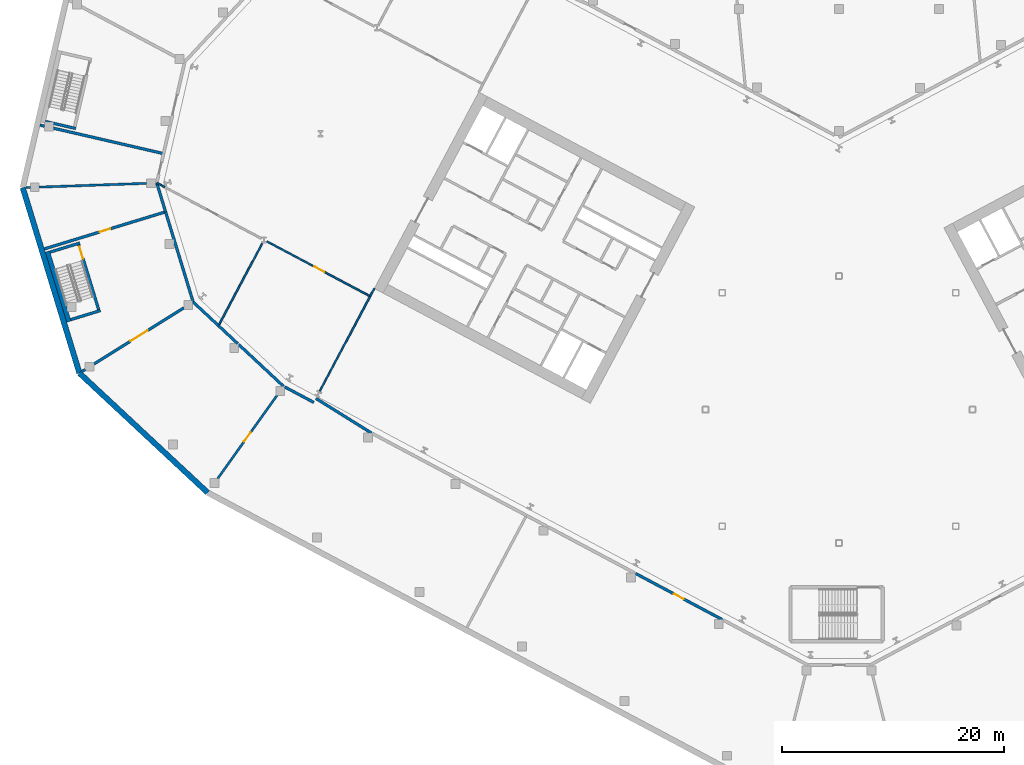
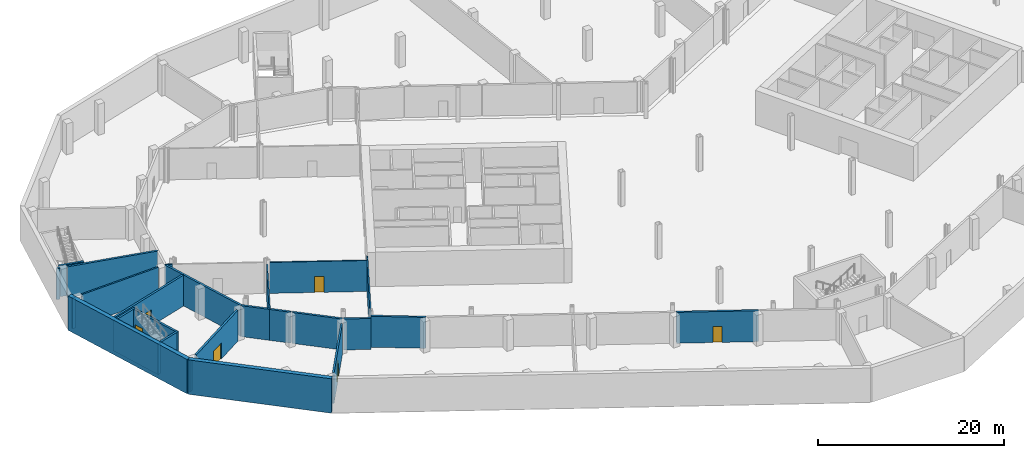
# One storey, part 8 of 27: 28 walls, 6 doors, 6 openings.
"""IFC4 building model written with IfcOpenShell, lengths in metres."""

import ifcopenshell
import ifcopenshell.guid

model = None  # the IFC model being written
_history = None  # IfcOwnerHistory: only IFC2X3 demands one
_inside = {}  # id of a spatial element -> (the spatial element, [elements in it])
_under = {}  # id of a project, library or spatial element -> (it, [spatial elements below it])
_declared = {}  # id of a project -> (the project, [libraries it declares])
_typed = {}  # id of a type object -> (the type object, [elements of that type])
_made_of = {}  # id of a material, layer set ... -> (it, [elements and type objects made of it])


def new_model(schema):
    """Start an empty IFC model of exactly this schema.

    Asked for "IFC4X3", IfcOpenShell would pick the latest addendum, in which some entities
    have other attributes; the version numbers below select the first issue.
    IFC2X3 requires an IfcOwnerHistory on every rooted entity: one is made here for all.
    """
    global model, _history
    if schema == "IFC4X3":
        model = ifcopenshell.file(schema_version=(4, 3, 0, 0))
    else:
        model = ifcopenshell.file(schema=schema)
    _inside.clear()
    _under.clear()
    _declared.clear()
    _typed.clear()
    _made_of.clear()
    _history = None
    if model.schema == "IFC2X3":
        org = make("IfcOrganization", Name="unknown")
        user = make(
            "IfcPersonAndOrganization",
            ThePerson=make("IfcPerson", FamilyName="unknown"),
            TheOrganization=org,
        )
        app = make(
            "IfcApplication",
            ApplicationDeveloper=org,
            Version="unknown",
            ApplicationFullName="unknown",
            ApplicationIdentifier="unknown",
        )
        _history = make(
            "IfcOwnerHistory",
            OwningUser=user,
            OwningApplication=app,
            ChangeAction="ADDED",
            CreationDate=0,
        )
    return model


def make(cls, **values):
    """One entity of the class cls with the attributes given. An attribute that is None is left unset."""
    return model.create_entity(
        cls, **{name: value for name, value in values.items() if value is not None}
    )


def rooted(cls, **values):
    """An entity with a GlobalId (a new one), such as an element, a storey or a relation."""
    return make(cls, GlobalId=ifcopenshell.guid.new(), OwnerHistory=_history, **values)


def si_unit(unit_type, name, prefix=None):
    """IfcSIUnit, for example si_unit("LENGTHUNIT", "METRE", prefix="MILLI")."""
    return make("IfcSIUnit", UnitType=unit_type, Prefix=prefix, Name=name)


def assignment(units):
    """IfcUnitAssignment: the units of a project."""
    return None if units is None else make("IfcUnitAssignment", Units=units)


def point(xyz):
    """IfcCartesianPoint."""
    return None if xyz is None else make("IfcCartesianPoint", Coordinates=xyz)


def direction(xyz):
    """IfcDirection."""
    return None if xyz is None else make("IfcDirection", DirectionRatios=xyz)


def frame(location, z_axis=None, x_axis=None):
    """IfcAxis2Placement3D, a coordinate frame: its origin and axes. An axis left out is left unset."""
    return make(
        "IfcAxis2Placement3D",
        Location=point(location),
        Axis=direction(z_axis),
        RefDirection=direction(x_axis),
    )


def frame_2d(location, x_axis=None):
    """IfcAxis2Placement2D, a coordinate frame in the plane: its origin and x axis."""
    return make(
        "IfcAxis2Placement2D", Location=point(location), RefDirection=direction(x_axis)
    )


def origin():
    """The frame at (0, 0, 0) with its axes left unset."""
    return frame((0.0, 0.0, 0.0))


def place(relative_to, where):
    """IfcLocalPlacement: puts the frame where relative to a parent placement (None: the world)."""
    return make(
        "IfcLocalPlacement", PlacementRelTo=relative_to, RelativePlacement=where
    )


def context(
    kind, dimensions, precision=None, world=None, true_north=None, identifier=None
):
    """IfcGeometricRepresentationContext, for example the 3D "Model" context."""
    return make(
        "IfcGeometricRepresentationContext",
        ContextIdentifier=identifier,
        ContextType=kind,
        CoordinateSpaceDimension=dimensions,
        Precision=precision,
        WorldCoordinateSystem=world,
        TrueNorth=true_north,
    )


def subcontext(parent, identifier, kind, view, scale=None):
    """IfcGeometricRepresentationSubContext, for example "Body" below "Model"."""
    return make(
        "IfcGeometricRepresentationSubContext",
        ContextIdentifier=identifier,
        ContextType=kind,
        ParentContext=parent,
        TargetScale=scale,
        TargetView=view,
    )


def project(units=None, contexts=None):
    """IfcProject with its units and contexts."""
    return rooted(
        "IfcProject",
        Name="project",
        RepresentationContexts=contexts,
        UnitsInContext=assignment(units),
    )


def spatial(cls, under=None, at=None, **own):
    """A site, building, storey or space (cls), placed at a placement, below another one or the project."""
    s = rooted(cls, ObjectPlacement=at, **own)
    if under is not None:
        _under.setdefault(under.id(), (under, []))[1].append(s)
    return s


def profile(cls, at=None, kind="AREA", **sizes):
    """A parametric profile (cls). Its sizes go by their IFC names, for example OverallWidth=200.0."""
    return make(cls, ProfileType=kind, Position=at, **sizes)


def rectangle(**sizes):
    """IfcRectangleProfileDef."""
    return profile("IfcRectangleProfileDef", **sizes)


def extrude(swept, where, along, depth):
    """IfcExtrudedAreaSolid: the profile swept, set in the frame where, extruded along a direction by depth."""
    return make(
        "IfcExtrudedAreaSolid",
        SweptArea=swept,
        Position=where,
        ExtrudedDirection=direction(along),
        Depth=depth,
    )


def shape(context_of_items, identifier, shape_type, items):
    """IfcShapeRepresentation: the items that make up one representation, for example the "Body"."""
    return make(
        "IfcShapeRepresentation",
        ContextOfItems=context_of_items,
        RepresentationIdentifier=identifier,
        RepresentationType=shape_type,
        Items=items,
    )


def material(Name=None, Category=None):
    """IfcMaterial."""
    return make("IfcMaterial", Name=Name, Category=Category)


def layer(
    of_material, thickness, ventilated=None, Name=None, Category=None, Priority=None
):
    """IfcMaterialLayer: one layer of a wall or slab, of a material (None: an air gap)."""
    return make(
        "IfcMaterialLayer",
        Material=of_material,
        LayerThickness=thickness,
        IsVentilated=ventilated,
        Name=Name,
        Category=Category,
        Priority=Priority,
    )


def layer_set(layers, Name=None):
    """IfcMaterialLayerSet."""
    return make("IfcMaterialLayerSet", MaterialLayers=layers, LayerSetName=Name)


def made_of(thing, what):
    """Note that an element or type object is made of a material, layer set ...; save() writes the relation."""
    if what is not None:
        _made_of.setdefault(what.id(), (what, []))[1].append(thing)
    return thing


def type_object(cls, material=None, **own):
    """A type object (cls), such as IfcWallType, which elements share."""
    return made_of(rooted(cls, **own), material)


def element(
    cls,
    number,
    at=None,
    inside=None,
    cuts=None,
    type_object=None,
    material=None,
    context=None,
    identifier="Body",
    shape_type=None,
    held_by="IfcProductDefinitionShape",
    body=None,
    shapes=None,
    **own,
):
    """One element of the class cls, such as IfcWall. Its Tag is "e" and its number.

    at: its placement. inside: the storey or other place that contains it. cuts: it is an
    opening in that element (IfcRelVoidsElement). A single representation is given by context,
    identifier, shape_type and body (its items); several are given by shapes. held_by: the class
    of the entity that holds the representations. save() writes the other relations.
    """
    e = rooted(cls, Tag="e%d" % number, ObjectPlacement=at, **own)
    if body is not None:
        shapes = [shape(context, identifier, shape_type, body)]
    if shapes is not None:
        e.Representation = make(held_by, Representations=shapes)
    if inside is not None:
        _inside.setdefault(inside.id(), (inside, []))[1].append(e)
    if cuts is not None:
        rooted(
            "IfcRelVoidsElement", RelatingBuildingElement=cuts, RelatedOpeningElement=e
        )
    if type_object is not None:
        _typed.setdefault(type_object.id(), (type_object, []))[1].append(e)
    return made_of(e, material)


def fill(opening, filler):
    """IfcRelFillsElement: the door or window that sits in an opening."""
    return rooted(
        "IfcRelFillsElement",
        RelatingOpeningElement=opening,
        RelatedBuildingElement=filler,
    )


def aggregate(whole, parts):
    """IfcRelAggregates: a whole, such as a stair, and the parts it consists of."""
    return rooted("IfcRelAggregates", RelatingObject=whole, RelatedObjects=parts)


def save(model, path):
    """Write the relations noted so far, then the file.

    IfcRelAggregates (storeys below a building ...), IfcRelContainedInSpatialStructure (elements
    in a storey), IfcRelDefinesByType, IfcRelAssociatesMaterial and IfcRelDeclares: one each for
    every whole, place, type object, material and project.
    """
    for whole, parts in _under.values():
        aggregate(whole, parts)
    for where, things in _inside.values():
        rooted(
            "IfcRelContainedInSpatialStructure",
            RelatedElements=things,
            RelatingStructure=where,
        )
    for kind, things in _typed.values():
        rooted("IfcRelDefinesByType", RelatedObjects=things, RelatingType=kind)
    for what, things in _made_of.values():
        rooted("IfcRelAssociatesMaterial", RelatedObjects=things, RelatingMaterial=what)
    for by, libraries in _declared.values():
        rooted("IfcRelDeclares", RelatingContext=by, RelatedDefinitions=libraries)
    model.write(path)


model = new_model("IFC4")

# Units and contexts
model_context = context("Model", 3, precision=1e-05, world=origin(), true_north=direction((0.0, 1.0)))
body_context = subcontext(model_context, "Body", "Model", "MODEL_VIEW")
ifc_project = project(units=[si_unit("LENGTHUNIT", "METRE"), si_unit("AREAUNIT", "SQUARE_METRE"), si_unit("VOLUMEUNIT", "CUBIC_METRE"), si_unit("PLANEANGLEUNIT", "RADIAN"), si_unit("MASSUNIT", "GRAM", prefix="KILO")], contexts=[model_context])

# Site, building, storey
site_placement = place(None, origin())
site = spatial("IfcSite", under=ifc_project, at=site_placement, CompositionType="ELEMENT")
building_placement = place(site_placement, origin())
building = spatial("IfcBuilding", under=site, at=building_placement, Name="Cormorant Relay Tower", CompositionType="ELEMENT")
storey_placement = place(building_placement, frame((0.0, 0.0, -4.5)))
storey = spatial("IfcBuildingStorey", under=building, at=storey_placement, Name="B1", CompositionType="ELEMENT", Elevation=-4.5)

# Walls
ifc_material_1 = material(Name="Concrete masonry 20 MPa", Category="masonry")
ifc_layer_1 = layer(ifc_material_1, 0.25)
ifc_layer_set_1 = layer_set([ifc_layer_1], Name="Fire separation wall 250")
wall_type_1 = type_object("IfcWallType", Name="Fire separation wall 250", PredefinedType="SOLIDWALL", material=ifc_layer_set_1)
wall_1_placement = place(storey_placement, frame((-71.83837890625, 25.578857421875, 0.0), z_axis=(0.0, 0.0, 1.0), x_axis=(0.974472286972, -0.22450782152, 0.0)))
element("IfcWall", 1, at=wall_1_placement, inside=storey, type_object=wall_type_1, Name="Partition", PredefinedType="SOLIDWALL", context=body_context, shape_type="SweptSolid", body=[
    extrude(rectangle(XDim=0.405517578125, YDim=0.25, at=frame_2d((0.20263671875, 0.0))), origin(), (0.0, 0.0, 1.0), 4.050048828125),
])
wall_2_placement = place(storey_placement, frame((-70.64306640625, 25.302978515625, 0.0), z_axis=(0.0, 0.0, 1.0), x_axis=(0.974368540913, -0.224957654857, 0.0)))
element("IfcWall", 2, at=wall_2_placement, inside=storey, type_object=wall_type_1, Name="Partition", PredefinedType="SOLIDWALL", context=body_context, shape_type="SweptSolid", body=[
    extrude(rectangle(XDim=10.17333984375, YDim=0.25, at=frame_2d((5.086669921875, 0.0))), origin(), (0.0, 0.0, 1.0), 4.050048828125),
])

# Wall, opening, door
wall_3_placement = place(storey_placement, frame((-71.449462890625, 14.444580078125, 0.0), z_axis=(0.0, 0.0, 1.0), x_axis=(0.956305341867, 0.292369788309, 0.0)))
wall_3 = element("IfcWall", 3, at=wall_3_placement, inside=storey, type_object=wall_type_1, Name="Partition", PredefinedType="SOLIDWALL", context=body_context, shape_type="SweptSolid", body=[
    extrude(rectangle(XDim=11.39990234375, YDim=0.25, at=frame_2d((5.699951171875, 0.0))), origin(), (0.0, 0.0, 1.0), 4.050048828125),
])
opening_1_placement = place(wall_3_placement, frame((5.199951171875, 0.0, 0.0)))
opening_1 = element("IfcOpeningElement", 4, at=opening_1_placement, cuts=wall_3, Name="Opening PD1-042", PredefinedType="OPENING", context=body_context, shape_type="SweptSolid", body=[
    extrude(rectangle(XDim=1.0, YDim=2.10009765625, at=frame_2d((0.5, 1.050048828125))), frame((0.0, 0.135009765625, 0.0), z_axis=(0.0, -1.0, 0.0), x_axis=(1.0, 0.0, 0.0)), (0.0, 0.0, 1.0), 0.27001953125),
])
ifc_material_2 = material(Name="Steel door leaf", Category="steel")
door_type_1 = type_object("IfcDoorType", Name="Door single 1000", OperationType="SINGLE_SWING_LEFT", PredefinedType="DOOR", material=ifc_material_2)
door_1_placement = place(opening_1_placement, origin())
door_1 = element("IfcDoor", 5, at=door_1_placement, inside=storey, type_object=door_type_1, Name="Door", OperationType="SINGLE_SWING_RIGHT", OverallHeight=2.10009765625, OverallWidth=1.0, PredefinedType="DOOR", context=body_context, shape_type="SweptSolid", body=[
    extrude(rectangle(XDim=1.0, YDim=2.10009765625, at=frame_2d((0.5, 1.050048828125))), frame((0.0, 0.02490234375, 0.0), z_axis=(0.0, -1.0, 0.0), x_axis=(1.0, 0.0, 0.0)), (0.0, 0.0, 1.0), 0.050048828125),
])
fill(opening_1, door_1)

# Walls
wall_4_placement = place(storey_placement, frame((-60.54931640625, 17.783447265625, 0.0), z_axis=(0.0, 0.0, 1.0), x_axis=(-0.291634808329, 0.956529737421, 0.0)))
element("IfcWall", 6, at=wall_4_placement, inside=storey, type_object=wall_type_1, Name="Partition", PredefinedType="SOLIDWALL", context=body_context, shape_type="SweptSolid", body=[
    extrude(rectangle(XDim=2.709716796875, YDim=0.25, at=frame_2d((1.35498046875, 0.0))), origin(), (0.0, 0.0, 1.0), 4.050048828125),
])
wall_5_placement = place(storey_placement, frame((-58.0654296875, 9.666015625, 0.0), z_axis=(0.0, 0.0, 1.0), x_axis=(-0.292613894095, 0.956230677704, 0.0)))
element("IfcWall", 7, at=wall_5_placement, inside=storey, type_object=wall_type_1, Name="Partition", PredefinedType="SOLIDWALL", context=body_context, shape_type="SweptSolid", body=[
    extrude(rectangle(XDim=8.487060546875, YDim=0.25, at=frame_2d((4.24365234375, 0.0))), origin(), (0.0, 0.0, 1.0), 4.050048828125),
])
wall_6_placement = place(storey_placement, frame((-68.0517578125, 3.430419921875, 0.0), z_axis=(0.0, 0.0, 1.0), x_axis=(0.847914279888, 0.530133354886, 0.0)))
element("IfcWall", 8, at=wall_6_placement, inside=storey, type_object=wall_type_1, Name="Partition", PredefinedType="SOLIDWALL", context=body_context, shape_type="SweptSolid", body=[
    extrude(rectangle(XDim=0.326416015625, YDim=0.25, at=frame_2d((0.1630859375, 0.0))), origin(), (0.0, 0.0, 1.0), 4.050048828125),
])

# Wall, opening, door
wall_7_placement = place(storey_placement, frame((-66.97509765625, 4.103271484375, 0.0), z_axis=(0.0, 0.0, 1.0), x_axis=(0.848048758951, 0.529918203539, 0.0)))
wall_7 = element("IfcWall", 9, at=wall_7_placement, inside=storey, type_object=wall_type_1, Name="Partition", PredefinedType="SOLIDWALL", context=body_context, shape_type="SweptSolid", body=[
    extrude(rectangle(XDim=9.513671875, YDim=0.25, at=frame_2d((4.7568359375, 0.0))), origin(), (0.0, 0.0, 1.0), 4.050048828125),
])
opening_2_placement = place(wall_7_placement, frame((3.85693359375, 0.0, 0.0)))
opening_2 = element("IfcOpeningElement", 10, at=opening_2_placement, cuts=wall_7, Name="Opening PD3-008", PredefinedType="OPENING", context=body_context, shape_type="SweptSolid", body=[
    extrude(rectangle(XDim=1.800048828125, YDim=2.10009765625, at=frame_2d((0.89990234375, 1.050048828125))), frame((0.0, 0.135009765625, 0.0), z_axis=(0.0, -1.0, 0.0), x_axis=(1.0, 0.0, 0.0)), (0.0, 0.0, 1.0), 0.27001953125),
])
ifc_material_3 = material(Name="Steel door leaf", Category="steel")
door_type_2 = type_object("IfcDoorType", Name="Door double 1800", OperationType="DOUBLE_DOOR_SINGLE_SWING", PredefinedType="DOOR", material=ifc_material_3)
door_2_placement = place(opening_2_placement, origin())
door_2 = element("IfcDoor", 11, at=door_2_placement, inside=storey, type_object=door_type_2, Name="Door", OperationType="DOUBLE_DOOR_SINGLE_SWING", OverallHeight=2.10009765625, OverallWidth=1.800048828125, PredefinedType="DOOR", context=body_context, shape_type="SweptSolid", body=[
    extrude(rectangle(XDim=1.800048828125, YDim=2.10009765625, at=frame_2d((0.89990234375, 1.050048828125))), frame((0.0, 0.02490234375, 0.0), z_axis=(0.0, -1.0, 0.0), x_axis=(1.0, 0.0, 0.0)), (0.0, 0.0, 1.0), 0.050048828125),
])
fill(opening_2, door_2)

# Walls
wall_8_placement = place(storey_placement, frame((-47.224365234375, 0.64599609375, 0.0), z_axis=(0.0, 0.0, 1.0), x_axis=(-0.882766080441, 0.469812778905, 0.0)))
element("IfcWall", 12, at=wall_8_placement, inside=storey, type_object=wall_type_1, Name="Partition", PredefinedType="SOLIDWALL", context=body_context, shape_type="SweptSolid", body=[
    extrude(rectangle(XDim=2.95849609375, YDim=0.25, at=frame_2d((1.479248046875, 0.0))), origin(), (0.0, 0.0, 1.0), 4.050048828125),
])
wall_9_placement = place(storey_placement, frame((-42.037109375, -2.112060546875, 0.0), z_axis=(0.0, 0.0, 1.0), x_axis=(-0.848449825707, 0.529275819642, 0.0)))
element("IfcWall", 13, at=wall_9_placement, inside=storey, type_object=wall_type_1, Name="Partition", PredefinedType="SOLIDWALL", context=body_context, shape_type="SweptSolid", body=[
    extrude(rectangle(XDim=5.88916015625, YDim=0.25, at=frame_2d((2.944580078125, 0.0))), origin(), (0.0, 0.0, 1.0), 4.050048828125),
])

# Wall, opening, door
wall_10_placement = place(storey_placement, frame((-10.49267578125, -18.883056640625, 0.0), z_axis=(0.0, 0.0, 1.0), x_axis=(-0.882973285467, 0.469423238828, 0.0)))
wall_10 = element("IfcWall", 14, at=wall_10_placement, inside=storey, type_object=wall_type_1, Name="Partition", PredefinedType="SOLIDWALL", context=body_context, shape_type="SweptSolid", body=[
    extrude(rectangle(XDim=8.835205078125, YDim=0.25, at=frame_2d((4.41748046875, 0.0))), origin(), (0.0, 0.0, 1.0), 4.050048828125),
])
opening_3_placement = place(wall_10_placement, frame((3.91796875, 0.0, 0.0)))
opening_3 = element("IfcOpeningElement", 15, at=opening_3_placement, cuts=wall_10, Name="Opening PD1-032", PredefinedType="OPENING", context=body_context, shape_type="SweptSolid", body=[
    extrude(rectangle(XDim=1.0, YDim=2.10009765625, at=frame_2d((0.5, 1.050048828125))), frame((0.0, 0.135009765625, 0.0), z_axis=(0.0, -1.0, 0.0), x_axis=(1.0, 0.0, 0.0)), (0.0, 0.0, 1.0), 0.27001953125),
])
door_3_placement = place(opening_3_placement, origin())
door_3 = element("IfcDoor", 16, at=door_3_placement, inside=storey, type_object=door_type_1, Name="Door", OperationType="SINGLE_SWING_LEFT", OverallHeight=2.10009765625, OverallWidth=1.0, PredefinedType="DOOR", context=body_context, shape_type="SweptSolid", body=[
    extrude(rectangle(XDim=1.0, YDim=2.10009765625, at=frame_2d((0.5, 1.050048828125))), frame((0.0, 0.02490234375, 0.0), z_axis=(0.0, -1.0, 0.0), x_axis=(1.0, 0.0, 0.0)), (0.0, 0.0, 1.0), 0.050048828125),
])
fill(opening_3, door_3)

# Walls
wall_11_placement = place(storey_placement, frame((-55.78466796875, 7.5390625, 0.0), z_axis=(0.0, 0.0, 1.0), x_axis=(0.731373339026, -0.681977300914, 0.0)))
element("IfcWall", 17, at=wall_11_placement, inside=storey, type_object=wall_type_1, Name="Partition", PredefinedType="SOLIDWALL", context=body_context, shape_type="SweptSolid", body=[
    extrude(rectangle(XDim=2.34765625, YDim=0.25, at=frame_2d((1.173828125, 0.0))), origin(), (0.0, 0.0, 1.0), 4.050048828125),
])
wall_12_placement = place(storey_placement, frame((-53.971923828125, 5.848876953125, 0.0), z_axis=(0.0, 0.0, 1.0), x_axis=(0.731317536597, -0.682037140239, 0.0)))
element("IfcWall", 18, at=wall_12_placement, inside=storey, type_object=wall_type_1, Name="Partition", PredefinedType="SOLIDWALL", context=body_context, shape_type="SweptSolid", body=[
    extrude(rectangle(XDim=5.509033203125, YDim=0.25, at=frame_2d((2.75439453125, 0.0))), origin(), (0.0, 0.0, 1.0), 4.050048828125),
])
wall_13_placement = place(storey_placement, frame((-58.068359375, 9.668701171875, 0.0), z_axis=(0.0, 0.0, 1.0), x_axis=(0.731356961262, -0.681994864507, 0.0)))
element("IfcWall", 19, at=wall_13_placement, inside=storey, type_object=wall_type_1, Name="Partition", PredefinedType="SOLIDWALL", context=body_context, shape_type="SweptSolid", body=[
    extrude(rectangle(XDim=3.120849609375, YDim=0.25, at=frame_2d((1.560546875, 0.0))), origin(), (0.0, 0.0, 1.0), 4.050048828125),
])
for number, where, z_axis, x_axis, name in (
    (20, (-71.35302734375, 25.903076171875, 0.0), (0.0, 0.0, 1.0), (0.974369148124, -0.224955024802, 0.0), "Stair enclosure wall"),
    (21, (-70.942626953125, 14.1552734375, 0.0), (0.0, 0.0, 1.0), (0.95631095062, 0.292351442144, 0.0), "Stair enclosure wall"),
    (22, (-69.086181640625, 8.08251953125, 0.0), (0.0, 0.0, 1.0), (0.956286571153, 0.29243117794, 0.0), "Stair enclosure wall"),
):
    element("IfcWall", number, at=place(storey_placement, frame(where, z_axis=z_axis, x_axis=x_axis)), inside=storey, type_object=wall_type_1, Name=name, PredefinedType="SOLIDWALL", context=body_context, shape_type="SweptSolid", body=[
        extrude(rectangle(XDim=2.800048828125, YDim=0.25, at=frame_2d((1.39990234375, 0.0))), origin(), (0.0, 0.0, 1.0), 4.050048828125),
    ])

# Wall, opening, door
wall_14_placement = place(storey_placement, frame((-68.421142578125, 15.056884765625, 0.0), z_axis=(0.0, 0.0, 1.0), x_axis=(0.292369833763, -0.956305327971, 0.0)))
wall_14 = element("IfcWall", 23, at=wall_14_placement, inside=storey, type_object=wall_type_1, Name="Stair enclosure wall", PredefinedType="SOLIDWALL", context=body_context, shape_type="SweptSolid", body=[
    extrude(rectangle(XDim=6.60009765625, YDim=0.25, at=frame_2d((3.300048828125, 0.0))), origin(), (0.0, 0.0, 1.0), 4.050048828125),
])
opening_4_placement = place(wall_14_placement, frame((0.449951171875, 0.0, 0.0)))
opening_4 = element("IfcOpeningElement", 24, at=opening_4_placement, cuts=wall_14, Name="Opening PD10-008", PredefinedType="OPENING", context=body_context, shape_type="SweptSolid", body=[
    extrude(rectangle(XDim=1.10009765625, YDim=2.10009765625, at=frame_2d((0.550048828125, 1.050048828125))), frame((0.0, 0.135009765625, 0.0), z_axis=(0.0, -1.0, 0.0), x_axis=(1.0, 0.0, 0.0)), (0.0, 0.0, 1.0), 0.27001953125),
])
ifc_material_4 = material(Name="Steel fire door leaf", Category="steel")
door_type_3 = type_object("IfcDoorType", Name="Door stair 1100", OperationType="SINGLE_SWING_LEFT", PredefinedType="DOOR", material=ifc_material_4)
door_4_placement = place(opening_4_placement, origin())
door_4 = element("IfcDoor", 25, at=door_4_placement, inside=storey, type_object=door_type_3, Name="Stair door", OperationType="SINGLE_SWING_LEFT", OverallHeight=2.10009765625, OverallWidth=1.10009765625, PredefinedType="DOOR", context=body_context, shape_type="SweptSolid", body=[
    extrude(rectangle(XDim=1.10009765625, YDim=2.10009765625, at=frame_2d((0.550048828125, 1.050048828125))), frame((0.0, 0.02490234375, 0.0), z_axis=(0.0, -1.0, 0.0), x_axis=(1.0, 0.0, 0.0)), (0.0, 0.0, 1.0), 0.050048828125),
])
fill(opening_4, door_4)

ifc_material_5 = material(Name="Gypsum board on steel stud", Category="steel")
ifc_layer_2 = layer(ifc_material_5, 0.14990234375)
ifc_layer_set_2 = layer_set([ifc_layer_2], Name="Partition 150")
wall_type_2 = type_object("IfcWallType", Name="Partition 150", PredefinedType="PARTITIONING", material=ifc_layer_set_2)
wall_15_placement = place(storey_placement, frame((-51.427490234375, 15.11279296875, 0.0), z_axis=(0.0, 0.0, 1.0), x_axis=(0.882942303397, -0.469481510681, 0.0)))
wall_15 = element("IfcWall", 26, at=wall_15_placement, inside=storey, type_object=wall_type_2, Name="Partition", PredefinedType="PARTITIONING", context=body_context, shape_type="SweptSolid", body=[
    extrude(rectangle(XDim=10.5029296875, YDim=0.14990234375, at=frame_2d((5.25146484375, 0.0))), origin(), (0.0, 0.0, 1.0), 4.050048828125),
])
opening_5_placement = place(wall_15_placement, frame((4.82958984375, 0.0, 0.0)))
opening_5 = element("IfcOpeningElement", 27, at=opening_5_placement, cuts=wall_15, Name="Opening PD1-043", PredefinedType="OPENING", context=body_context, shape_type="SweptSolid", body=[
    extrude(rectangle(XDim=1.0, YDim=2.10009765625, at=frame_2d((0.5, 1.050048828125))), frame((0.0, 0.0849609375, 0.0), z_axis=(0.0, -1.0, 0.0), x_axis=(1.0, 0.0, 0.0)), (0.0, 0.0, 1.0), 0.169921875),
])
door_5_placement = place(opening_5_placement, frame((1.0, 0.0, 0.0), z_axis=(0.0, 0.0, 1.0), x_axis=(-1.0, 0.0, 0.0)))
door_5 = element("IfcDoor", 28, at=door_5_placement, inside=storey, type_object=door_type_1, Name="Door", OperationType="SINGLE_SWING_LEFT", OverallHeight=2.10009765625, OverallWidth=1.0, PredefinedType="DOOR", context=body_context, shape_type="SweptSolid", body=[
    extrude(rectangle(XDim=1.0, YDim=2.10009765625, at=frame_2d((0.5, 1.050048828125))), frame((0.0, 0.02490234375, 0.0), z_axis=(0.0, -1.0, 0.0), x_axis=(1.0, 0.0, 0.0)), (0.0, 0.0, 1.0), 0.050048828125),
])
fill(opening_5, door_5)

# Walls
wall_16_placement = place(storey_placement, frame((-61.338134765625, 20.38232421875, 0.0), z_axis=(0.0, 0.0, 1.0), x_axis=(0.882969363327, -0.4694306162, 0.0)))
element("IfcWall", 29, at=wall_16_placement, inside=storey, type_object=wall_type_2, Name="Partition", PredefinedType="PARTITIONING", context=body_context, shape_type="SweptSolid", body=[
    extrude(rectangle(XDim=0.79931640625, YDim=0.14990234375, at=frame_2d((0.399658203125, 0.0))), origin(), (0.0, 0.0, 1.0), 4.050048828125),
])
wall_17_placement = place(storey_placement, frame((-42.1513671875, 10.187255859375, 0.0), z_axis=(0.0, 0.0, 1.0), x_axis=(0.469582372655, 0.882888665287, 0.0)))
element("IfcWall", 30, at=wall_17_placement, inside=storey, type_object=wall_type_2, Name="Partition", PredefinedType="PARTITIONING", context=body_context, shape_type="SweptSolid", body=[
    extrude(rectangle(XDim=0.7939453125, YDim=0.14990234375, at=frame_2d((0.39697265625, 0.0))), origin(), (0.0, 0.0, 1.0), 4.050048828125),
])
wall_18_placement = place(storey_placement, frame((-51.858154296875, 14.93603515625, 0.0), z_axis=(0.0, 0.0, 1.0), x_axis=(-0.469478534594, -0.882943885848, 0.0)))
element("IfcWall", 31, at=wall_18_placement, inside=storey, type_object=wall_type_2, Name="Partition", PredefinedType="PARTITIONING", context=body_context, shape_type="SweptSolid", body=[
    extrude(rectangle(XDim=8.372802734375, YDim=0.14990234375, at=frame_2d((4.1865234375, 0.0))), origin(), (0.0, 0.0, 1.0), 4.050048828125),
])
wall_19_placement = place(storey_placement, frame((-46.700439453125, 1.631591796875, 0.0), z_axis=(0.0, 0.0, 1.0), x_axis=(0.46948131983, 0.882942404878, 0.0)))
element("IfcWall", 32, at=wall_19_placement, inside=storey, type_object=wall_type_2, Name="Partition", PredefinedType="PARTITIONING", context=body_context, shape_type="SweptSolid", body=[
    extrude(rectangle(XDim=9.68798828125, YDim=0.14990234375, at=frame_2d((4.843994140625, 0.0))), origin(), (0.0, 0.0, 1.0), 4.050048828125),
])
ifc_material_6 = material(Name="Concrete masonry 20 MPa", Category="masonry")
ifc_layer_3 = layer(ifc_material_6, 0.199951171875)
ifc_layer_set_3 = layer_set([ifc_layer_3], Name="Plant room wall 200")
wall_type_3 = type_object("IfcWallType", Name="Plant room wall 200", PredefinedType="PARTITIONING", material=ifc_layer_set_3)
wall_20_placement = place(storey_placement, frame((-73.10888671875, 19.960693359375, 0.0), z_axis=(0.0, 0.0, 1.0), x_axis=(0.999398021309, 0.034692866757, 0.0)))
element("IfcWall", 33, at=wall_20_placement, inside=storey, type_object=wall_type_3, Name="Partition", PredefinedType="PARTITIONING", context=body_context, shape_type="SweptSolid", body=[
    extrude(rectangle(XDim=0.401123046875, YDim=0.199951171875, at=frame_2d((0.20068359375, 0.0))), origin(), (0.0, 0.0, 1.0), 4.050048828125),
])
wall_21_placement = place(storey_placement, frame((-71.907958984375, 20.002685546875, 0.0), z_axis=(0.0, 0.0, 1.0), x_axis=(0.999391072451, 0.034892467742, 0.0)))
element("IfcWall", 34, at=wall_21_placement, inside=storey, type_object=wall_type_3, Name="Partition", PredefinedType="PARTITIONING", context=body_context, shape_type="SweptSolid", body=[
    extrude(rectangle(XDim=9.65576171875, YDim=0.199951171875, at=frame_2d((4.827880859375, 0.0))), origin(), (0.0, 0.0, 1.0), 4.050048828125),
])

# Wall, opening, door
wall_22_placement = place(storey_placement, frame((-50.521240234375, 1.281005859375, 0.0), z_axis=(0.0, 0.0, 1.0), x_axis=(-0.580708624763, -0.814111474631, 0.0)))
wall_22 = element("IfcWall", 35, at=wall_22_placement, inside=storey, type_object=wall_type_3, Name="Partition", PredefinedType="PARTITIONING", context=body_context, shape_type="SweptSolid", body=[
    extrude(rectangle(XDim=9.203857421875, YDim=0.199951171875, at=frame_2d((4.60205078125, 0.0))), origin(), (0.0, 0.0, 1.0), 4.050048828125),
])
opening_6_placement = place(wall_22_placement, frame((4.10205078125, 0.0, 0.0)))
opening_6 = element("IfcOpeningElement", 36, at=opening_6_placement, cuts=wall_22, Name="Opening PD1-031", PredefinedType="OPENING", context=body_context, shape_type="SweptSolid", body=[
    extrude(rectangle(XDim=1.0, YDim=2.10009765625, at=frame_2d((0.5, 1.050048828125))), frame((0.0, 0.10986328125, 0.0), z_axis=(0.0, -1.0, 0.0), x_axis=(1.0, 0.0, 0.0)), (0.0, 0.0, 1.0), 0.219970703125),
])
door_6_placement = place(opening_6_placement, frame((1.0, 0.0, 0.0), z_axis=(0.0, 0.0, 1.0), x_axis=(-1.0, 0.0, 0.0)))
door_6 = element("IfcDoor", 37, at=door_6_placement, inside=storey, type_object=door_type_1, Name="Door", OperationType="SINGLE_SWING_RIGHT", OverallHeight=2.10009765625, OverallWidth=1.0, PredefinedType="DOOR", context=body_context, shape_type="SweptSolid", body=[
    extrude(rectangle(XDim=1.0, YDim=2.10009765625, at=frame_2d((0.5, 1.050048828125))), frame((0.0, 0.02490234375, 0.0), z_axis=(0.0, -1.0, 0.0), x_axis=(1.0, 0.0, 0.0)), (0.0, 0.0, 1.0), 0.050048828125),
])
fill(opening_6, door_6)

# Walls
ifc_material_7 = material(Name="Concrete 40 MPa", Category="concrete")
ifc_layer_4 = layer(ifc_material_7, 0.5)
ifc_layer_set_4 = layer_set([ifc_layer_4], Name="Retaining wall 500")
wall_type_4 = type_object("IfcWallType", Name="Retaining wall 500", PredefinedType="SOLIDWALL", material=ifc_layer_set_4)
wall_23_placement = place(storey_placement, frame((-73.394287109375, 19.95068359375, 0.0), z_axis=(0.0, 0.0, 1.0), x_axis=(0.292377196349, -0.956303076987, 0.0)))
element("IfcWall", 38, at=wall_23_placement, inside=storey, type_object=wall_type_4, Name="Retaining wall", PredefinedType="SOLIDWALL", context=body_context, shape_type="SweptSolid", body=[
    extrude(rectangle(XDim=17.435302734375, YDim=0.5, at=frame_2d((8.7177734375, 0.0))), origin(), (0.0, 0.0, 1.0), 4.5),
])
wall_24_placement = place(storey_placement, frame((-68.296630859375, 3.27734375, 0.0), z_axis=(0.0, 0.0, 1.0), x_axis=(0.73135285176, -0.681999271424, 0.0)))
element("IfcWall", 39, at=wall_24_placement, inside=storey, type_object=wall_type_4, Name="Retaining wall", PredefinedType="SOLIDWALL", context=body_context, shape_type="SweptSolid", body=[
    extrude(rectangle(XDim=15.765380859375, YDim=0.5, at=frame_2d((7.8828125, 0.0))), origin(), (0.0, 0.0, 1.0), 4.5),
])
ifc_material_8 = material(Name="Concrete 40 MPa", Category="concrete")
ifc_layer_5 = layer(ifc_material_8, 0.39990234375)
ifc_layer_set_5 = layer_set([ifc_layer_5], Name="Stair furring wall 400")
wall_type_5 = type_object("IfcWallType", Name="Stair furring wall 400", PredefinedType="SOLIDWALL", material=ifc_layer_set_5)
wall_25_placement = place(storey_placement, frame((-71.17041015625, 14.21630859375, 0.0), z_axis=(0.0, 0.0, 1.0), x_axis=(0.292369833763, -0.956305327971, 0.0)))
element("IfcWall", 40, at=wall_25_placement, inside=storey, type_object=wall_type_5, Name="Stair furring wall", PredefinedType="SOLIDWALL", context=body_context, shape_type="SweptSolid", body=[
    extrude(rectangle(XDim=6.60009765625, YDim=0.39990234375, at=frame_2d((3.300048828125, 0.0))), origin(), (0.0, 0.0, 1.0), 4.050048828125),
])

save(model, "model.ifc")
